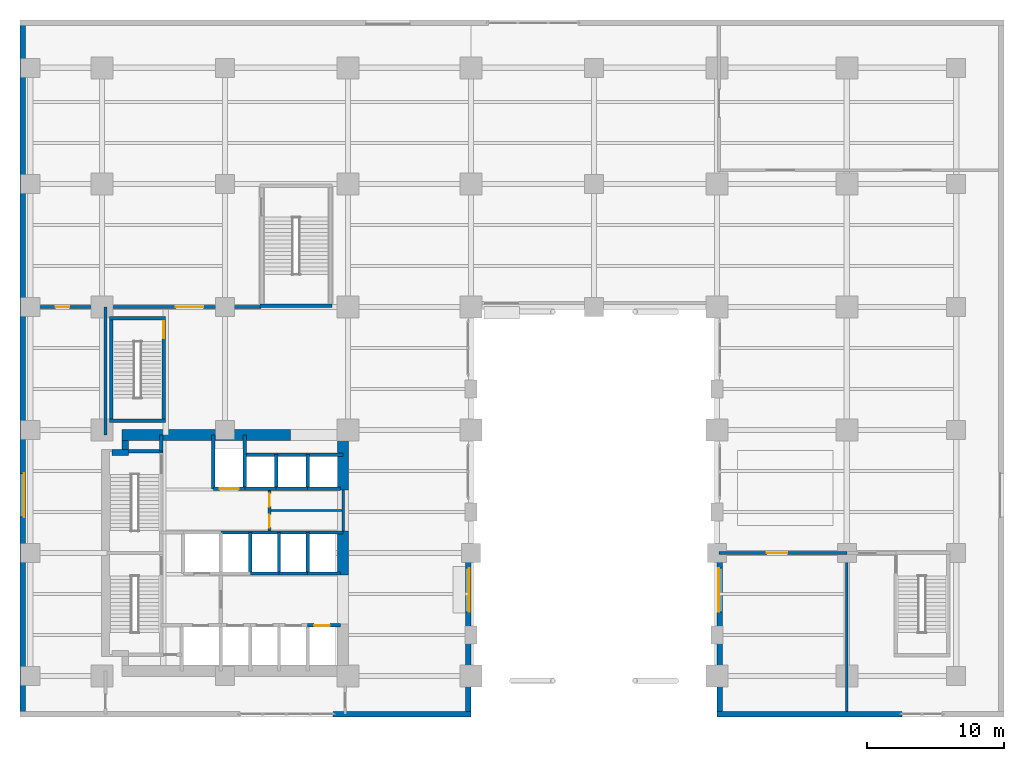
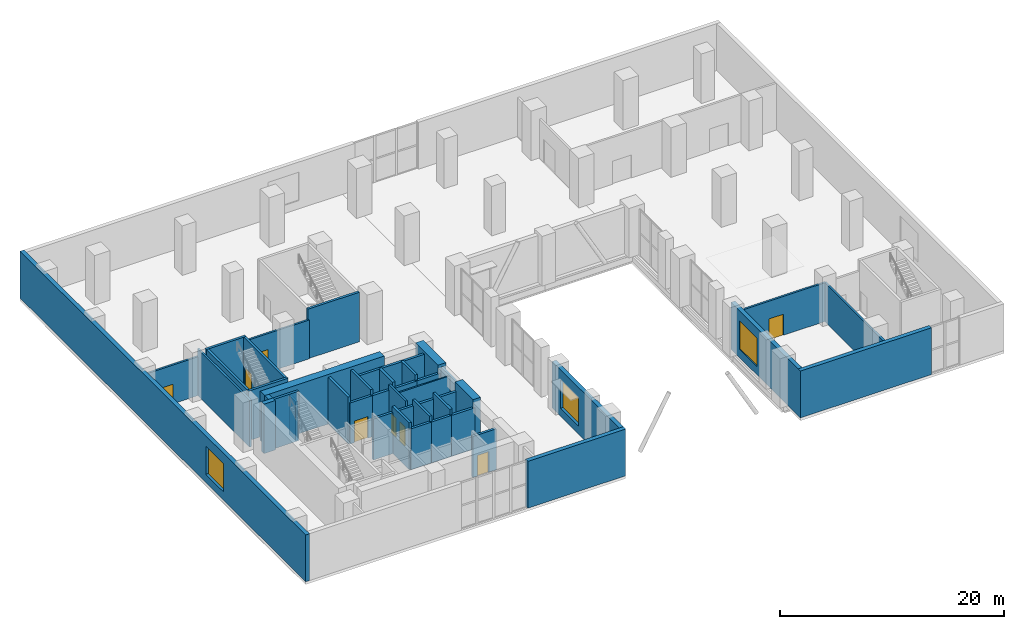
# One storey, part 16 of 20: 41 walls, 8 doors, 3 windows, 11 openings.
"""IFC4 building model written with IfcOpenShell, lengths in metres."""

from ifc_helpers import new_model, si_unit, direction, frame, frame_2d, origin, place, context, subcontext, project, spatial, rectangle, extrude, material, layer, layer_set, type_object, element, fill, save


model = new_model("IFC4")

# Units and contexts
model_context = context("Model", 3, precision=1e-05, world=origin(), true_north=direction((0.0, 1.0)))
body_context = subcontext(model_context, "Body", "Model", "MODEL_VIEW")
ifc_project = project(units=[si_unit("LENGTHUNIT", "METRE"), si_unit("AREAUNIT", "SQUARE_METRE"), si_unit("VOLUMEUNIT", "CUBIC_METRE"), si_unit("PLANEANGLEUNIT", "RADIAN"), si_unit("MASSUNIT", "GRAM", prefix="KILO")], contexts=[model_context])

# Site, building, storey
site_placement = place(None, origin())
site = spatial("IfcSite", under=ifc_project, at=site_placement, CompositionType="ELEMENT")
building_placement = place(site_placement, origin())
building = spatial("IfcBuilding", under=site, at=building_placement, Name="Mawjdan Bourse Tower", CompositionType="ELEMENT")
storey_placement = place(building_placement, frame((0.0, 0.0, 5.39990234375)))
storey = spatial("IfcBuildingStorey", under=building, at=storey_placement, Name="L01", CompositionType="ELEMENT", Elevation=5.39990234375)

# Wall
ifc_material_1 = material(Name="Brick Masonry Buff", Category="masonry")
ifc_layer_1 = layer(ifc_material_1, 0.419921875)
ifc_layer_set_1 = layer_set([ifc_layer_1], Name="Brick Masonry Buff")
wall_type_1 = type_object("IfcWallType", Name="WL-BRK-BUFF-420", PredefinedType="STANDARD", material=ifc_layer_set_1)
wall_1_placement = place(storey_placement, frame((22.919921875, 0.2099609375, 0.0), z_axis=(0.0, 0.0, 1.0), x_axis=(1.0, 0.0, 0.0)))
element("IfcWall", 1, at=wall_1_placement, inside=storey, type_object=wall_type_1, Name="L01 Podium Brick Wall SW-2", PredefinedType="STANDARD", context=body_context, shape_type="SweptSolid", body=[
    extrude(rectangle(XDim=10.080078125, YDim=0.419921875, at=frame_2d((5.0400390625, 0.0))), origin(), (0.0, 0.0, 1.0), 5.10009765625),
])

# Wall, opening, window
wall_2_placement = place(storey_placement, frame((32.7900390625, 12.39990234375, 0.0), z_axis=(0.0, 0.0, 1.0), x_axis=(0.0, -1.0, 0.0)))
wall_2 = element("IfcWall", 2, at=wall_2_placement, inside=storey, type_object=wall_type_1, Name="L01 Podium Brick Wall ARCH-WP", PredefinedType="STANDARD", context=body_context, shape_type="SweptSolid", body=[
    extrude(rectangle(XDim=12.39990234375, YDim=0.419921875, at=frame_2d((6.199951171875, 0.0))), origin(), (0.0, 0.0, 1.0), 5.10009765625),
])
opening_1_placement = place(wall_2_placement, frame((1.5, 0.0, 0.89990234375)))
opening_1 = element("IfcOpeningElement", 3, at=opening_1_placement, cuts=wall_2, Name="Opening W-L01-01", PredefinedType="OPENING", context=body_context, shape_type="SweptSolid", body=[
    extrude(rectangle(XDim=3.199951171875, YDim=3.10009765625, at=frame_2d((1.60009765625, 1.550048828125))), frame((0.0, 0.219970703125, 0.0), z_axis=(0.0, -1.0, 0.0), x_axis=(1.0, 0.0, 0.0)), (0.0, 0.0, 1.0), 0.43994140625),
])
ifc_material_2 = material(Name="Solar-Control Clear Double Glazing", Category="glass")
window_type = type_object("IfcWindowType", Name="WN-POD-3200", PartitioningType="SINGLE_PANEL", PredefinedType="WINDOW", material=ifc_material_2)
window_1_placement = place(opening_1_placement, origin())
window_1 = element("IfcWindow", 4, at=window_1_placement, inside=storey, type_object=window_type, Name="L01 Deep-Set Masonry Window W-L01-01", OverallHeight=3.10009765625, OverallWidth=3.199951171875, PartitioningType="SINGLE_PANEL", PredefinedType="WINDOW", context=body_context, shape_type="SweptSolid", body=[
    extrude(rectangle(XDim=3.199951171875, YDim=3.10009765625, at=frame_2d((1.60009765625, 1.550048828125))), frame((0.0, 0.110107421875, 0.0), z_axis=(0.0, -1.0, 0.0), x_axis=(1.0, 0.0, 0.0)), (0.0, 0.0, 1.0), 0.06005859375),
])
fill(opening_1, window_1)

wall_3_placement = place(storey_placement, frame((51.2099609375, 0.0, 0.0), z_axis=(0.0, 0.0, 1.0), x_axis=(0.0, 1.0, 0.0)))
wall_3 = element("IfcWall", 5, at=wall_3_placement, inside=storey, type_object=wall_type_1, Name="L01 Podium Brick Wall ARCH-EP", PredefinedType="STANDARD", context=body_context, shape_type="SweptSolid", body=[
    extrude(rectangle(XDim=12.39990234375, YDim=0.419921875, at=frame_2d((6.199951171875, 0.0))), origin(), (0.0, 0.0, 1.0), 5.10009765625),
])
opening_2_placement = place(wall_3_placement, frame((7.699951171875, 0.0, 0.89990234375)))
opening_2 = element("IfcOpeningElement", 6, at=opening_2_placement, cuts=wall_3, Name="Opening W-L01-03", PredefinedType="OPENING", context=body_context, shape_type="SweptSolid", body=[
    extrude(rectangle(XDim=3.199951171875, YDim=3.10009765625, at=frame_2d((1.60009765625, 1.550048828125))), frame((0.0, 0.219970703125, 0.0), z_axis=(0.0, -1.0, 0.0), x_axis=(1.0, 0.0, 0.0)), (0.0, 0.0, 1.0), 0.43994140625),
])
window_2_placement = place(opening_2_placement, origin())
window_2 = element("IfcWindow", 7, at=window_2_placement, inside=storey, type_object=window_type, Name="L01 Deep-Set Masonry Window W-L01-03", OverallHeight=3.10009765625, OverallWidth=3.199951171875, PartitioningType="SINGLE_PANEL", PredefinedType="WINDOW", context=body_context, shape_type="SweptSolid", body=[
    extrude(rectangle(XDim=3.199951171875, YDim=3.10009765625, at=frame_2d((1.60009765625, 1.550048828125))), frame((0.0, 0.110107421875, 0.0), z_axis=(0.0, -1.0, 0.0), x_axis=(1.0, 0.0, 0.0)), (0.0, 0.0, 1.0), 0.06005859375),
])
fill(opening_2, window_2)

# Wall
wall_4_placement = place(storey_placement, frame((51.0, 0.2099609375, 0.0), z_axis=(0.0, 0.0, 1.0), x_axis=(1.0, 0.0, 0.0)))
element("IfcWall", 8, at=wall_4_placement, inside=storey, type_object=wall_type_1, Name="L01 Podium Brick Wall SE-1", PredefinedType="STANDARD", context=body_context, shape_type="SweptSolid", body=[
    extrude(rectangle(XDim=13.530029296875, YDim=0.419921875, at=frame_2d((6.76513671875, 0.0))), origin(), (0.0, 0.0, 1.0), 5.10009765625),
])

# Wall, opening, window
wall_5_placement = place(storey_placement, frame((0.2099609375, 51.0, 0.0), z_axis=(0.0, 0.0, 1.0), x_axis=(0.0, -1.0, 0.0)))
wall_5 = element("IfcWall", 9, at=wall_5_placement, inside=storey, type_object=wall_type_1, Name="L01 Podium Brick Wall WEST", PredefinedType="STANDARD", context=body_context, shape_type="SweptSolid", body=[
    extrude(rectangle(XDim=51.0, YDim=0.419921875, at=frame_2d((25.5, 0.0))), origin(), (0.0, 0.0, 1.0), 5.10009765625),
])
opening_3_placement = place(wall_5_placement, frame((33.172607421875, 0.0, 0.89990234375)))
opening_3 = element("IfcOpeningElement", 10, at=opening_3_placement, cuts=wall_5, Name="Opening W-L01-06", PredefinedType="OPENING", context=body_context, shape_type="SweptSolid", body=[
    extrude(rectangle(XDim=3.199951171875, YDim=3.10009765625, at=frame_2d((1.60009765625, 1.550048828125))), frame((0.0, 0.219970703125, 0.0), z_axis=(0.0, -1.0, 0.0), x_axis=(1.0, 0.0, 0.0)), (0.0, 0.0, 1.0), 0.43994140625),
])
window_3_placement = place(opening_3_placement, origin())
window_3 = element("IfcWindow", 11, at=window_3_placement, inside=storey, type_object=window_type, Name="L01 Deep-Set Masonry Window W-L01-06", OverallHeight=3.10009765625, OverallWidth=3.199951171875, PartitioningType="SINGLE_PANEL", PredefinedType="WINDOW", context=body_context, shape_type="SweptSolid", body=[
    extrude(rectangle(XDim=3.199951171875, YDim=3.10009765625, at=frame_2d((1.60009765625, 1.550048828125))), frame((0.0, 0.110107421875, 0.0), z_axis=(0.0, -1.0, 0.0), x_axis=(1.0, 0.0, 0.0)), (0.0, 0.0, 1.0), 0.06005859375),
])
fill(opening_3, window_3)

# Wall, openings, doors
ifc_material_3 = material(Name="Gypsum Fireboard Assembly")
ifc_layer_2 = layer(ifc_material_3, 0.199951171875)
ifc_layer_set_2 = layer_set([ifc_layer_2], Name="Gypsum Fireboard Assembly")
wall_type_2 = type_object("IfcWallType", Name="WL-CMP-200", PredefinedType="PARTITIONING", material=ifc_layer_set_2)
wall_6_placement = place(storey_placement, frame((18.25, 13.60009765625, 0.0), z_axis=(0.0, 0.0, 1.0), x_axis=(0.0, 1.0, 0.0)))
wall_6 = element("IfcWall", 12, at=wall_6_placement, inside=storey, type_object=wall_type_2, Name="L01 Core Restroom West Wall", PredefinedType="PARTITIONING", context=body_context, shape_type="SweptSolid", body=[
    extrude(rectangle(XDim=3.0, YDim=0.199951171875, at=frame_2d((1.5, 0.0))), origin(), (0.0, 0.0, 1.0), 5.090087890625),
])
opening_4_placement = place(wall_6_placement, frame((0.25, 0.0, 0.0)))
opening_4 = element("IfcOpeningElement", 13, at=opening_4_placement, cuts=wall_6, Name="Opening D-L01-14", PredefinedType="OPENING", context=body_context, shape_type="SweptSolid", body=[
    extrude(rectangle(XDim=0.949951171875, YDim=2.10009765625, at=frame_2d((0.47509765625, 1.050048828125))), frame((0.0, 0.10986328125, 0.0), z_axis=(0.0, -1.0, 0.0), x_axis=(1.0, 0.0, 0.0)), (0.0, 0.0, 1.0), 0.219970703125),
])
opening_5_placement = place(wall_6_placement, frame((1.800048828125, 0.0, 0.0)))
opening_5 = element("IfcOpeningElement", 14, at=opening_5_placement, cuts=wall_6, Name="Opening D-L01-15", PredefinedType="OPENING", context=body_context, shape_type="SweptSolid", body=[
    extrude(rectangle(XDim=0.949951171875, YDim=2.10009765625, at=frame_2d((0.47509765625, 1.050048828125))), frame((0.0, 0.10986328125, 0.0), z_axis=(0.0, -1.0, 0.0), x_axis=(1.0, 0.0, 0.0)), (0.0, 0.0, 1.0), 0.219970703125),
])
ifc_material_4 = material(Name="Moisture-Resistant Laminate Timber", Category="wood")
door_type_1 = type_object("IfcDoorType", Name="DR-WET-0950", OperationType="NOTDEFINED", PredefinedType="DOOR", material=ifc_material_4)
door_1_placement = place(opening_4_placement, origin())
door_1 = element("IfcDoor", 15, at=door_1_placement, inside=storey, type_object=door_type_1, Name="L01 Accessible WC Entry Door D-L01-14", OperationType="SINGLE_SWING_RIGHT", OverallHeight=2.10009765625, OverallWidth=0.949951171875, PredefinedType="DOOR", context=body_context, shape_type="SweptSolid", body=[
    extrude(rectangle(XDim=0.949951171875, YDim=2.10009765625, at=frame_2d((0.47509765625, 1.050048828125))), frame((0.0, 0.02490234375, 0.0), z_axis=(0.0, -1.0, 0.0), x_axis=(1.0, 0.0, 0.0)), (0.0, 0.0, 1.0), 0.050048828125),
])
fill(opening_4, door_1)
door_2_placement = place(opening_5_placement, origin())
door_2 = element("IfcDoor", 16, at=door_2_placement, inside=storey, type_object=door_type_1, Name="L01 Female Restroom Entry Door D-L01-15", OperationType="SINGLE_SWING_LEFT", OverallHeight=2.10009765625, OverallWidth=0.949951171875, PredefinedType="DOOR", context=body_context, shape_type="SweptSolid", body=[
    extrude(rectangle(XDim=0.949951171875, YDim=2.10009765625, at=frame_2d((0.47509765625, 1.050048828125))), frame((0.0, 0.02490234375, 0.0), z_axis=(0.0, -1.0, 0.0), x_axis=(1.0, 0.0, 0.0)), (0.0, 0.0, 1.0), 0.050048828125),
])
fill(opening_5, door_2)

# Wall
wall_7_placement = place(storey_placement, frame((23.64990234375, 13.60009765625, 0.0), z_axis=(0.0, 0.0, 1.0), x_axis=(0.0, 1.0, 0.0)))
element("IfcWall", 17, at=wall_7_placement, inside=storey, type_object=wall_type_2, Name="L01 Core Restroom East Enclosing Wall", PredefinedType="PARTITIONING", context=body_context, shape_type="SweptSolid", body=[
    extrude(rectangle(XDim=3.0, YDim=0.199951171875, at=frame_2d((1.5, 0.0))), origin(), (0.0, 0.0, 1.0), 5.090087890625),
])

# Wall, openings, doors
wall_8_placement = place(storey_placement, frame((0.2099609375, 30.0, 0.0), z_axis=(0.0, 0.0, 1.0), x_axis=(1.0, 0.0, 0.0)))
wall_8 = element("IfcWall", 18, at=wall_8_placement, inside=storey, type_object=wall_type_2, Name="L01 Listing Gallery South Wall", PredefinedType="PARTITIONING", context=body_context, shape_type="SweptSolid", body=[
    extrude(rectangle(XDim=17.43994140625, YDim=0.199951171875, at=frame_2d((8.719970703125, 0.0))), origin(), (0.0, 0.0, 1.0), 4.234130859375),
])
opening_6_placement = place(wall_8_placement, frame((2.39990234375, 0.0, 0.0)))
opening_6 = element("IfcOpeningElement", 19, at=opening_6_placement, cuts=wall_8, Name="Opening D-L01-19", PredefinedType="OPENING", context=body_context, shape_type="SweptSolid", body=[
    extrude(rectangle(XDim=1.0, YDim=2.14990234375, at=frame_2d((0.5, 1.074951171875))), frame((0.0, 0.10986328125, 0.0), z_axis=(0.0, -1.0, 0.0), x_axis=(1.0, 0.0, 0.0)), (0.0, 0.0, 1.0), 0.219970703125),
])
opening_7_placement = place(wall_8_placement, frame((11.199951171875, 0.0, 0.0)))
opening_7 = element("IfcOpeningElement", 20, at=opening_7_placement, cuts=wall_8, Name="Opening D-L01-20", PredefinedType="OPENING", context=body_context, shape_type="SweptSolid", body=[
    extrude(rectangle(XDim=2.0, YDim=2.5, at=frame_2d((1.0, 1.25))), frame((0.0, 0.10986328125, 0.0), z_axis=(0.0, -1.0, 0.0), x_axis=(1.0, 0.0, 0.0)), (0.0, 0.0, 1.0), 0.219970703125),
])
ifc_material_5 = material(Name="Acoustic Veneered Timber", Category="wood")
door_type_2 = type_object("IfcDoorType", Name="DR-ASM-2000", OperationType="DOUBLE_DOOR_SINGLE_SWING", PredefinedType="DOOR", material=ifc_material_5)
door_3_placement = place(opening_7_placement, origin())
door_3 = element("IfcDoor", 21, at=door_3_placement, inside=storey, type_object=door_type_2, Name="L01 Listing Gallery Entrance D-L01-20", OperationType="DOUBLE_DOOR_SINGLE_SWING", OverallHeight=2.5, OverallWidth=2.0, PredefinedType="DOOR", context=body_context, shape_type="SweptSolid", body=[
    extrude(rectangle(XDim=2.0, YDim=2.5, at=frame_2d((1.0, 1.25))), frame((0.0, 0.02490234375, 0.0), z_axis=(0.0, -1.0, 0.0), x_axis=(1.0, 0.0, 0.0)), (0.0, 0.0, 1.0), 0.050048828125),
])
fill(opening_7, door_3)
ifc_material_6 = material(Name="Hardwood Acoustic Leaf", Category="wood")
door_type_3 = type_object("IfcDoorType", Name="DR-OFC-1000", OperationType="NOTDEFINED", PredefinedType="DOOR", material=ifc_material_6)
door_4_placement = place(opening_6_placement, origin())
door_4 = element("IfcDoor", 22, at=door_4_placement, inside=storey, type_object=door_type_3, Name="L01 Bourse Operations Listing Gallery Door D-L01-19", OperationType="SINGLE_SWING_LEFT", OverallHeight=2.14990234375, OverallWidth=1.0, PredefinedType="DOOR", context=body_context, shape_type="SweptSolid", body=[
    extrude(rectangle(XDim=1.0, YDim=2.14990234375, at=frame_2d((0.5, 1.074951171875))), frame((0.0, 0.02490234375, 0.0), z_axis=(0.0, -1.0, 0.0), x_axis=(1.0, 0.0, 0.0)), (0.0, 0.0, 1.0), 0.050048828125),
])
fill(opening_6, door_4)

# Wall
wall_9_placement = place(storey_placement, frame((6.25, 20.64990234375, 0.0), z_axis=(0.0, 0.0, 1.0), x_axis=(0.0, 1.0, 0.0)))
element("IfcWall", 23, at=wall_9_placement, inside=storey, type_object=wall_type_2, Name="L01 Bourse Operations North-East Wall", PredefinedType="PARTITIONING", context=body_context, shape_type="SweptSolid", body=[
    extrude(rectangle(XDim=9.35009765625, YDim=0.199951171875, at=frame_2d((4.675048828125, 0.0))), origin(), (0.0, 0.0, 1.0), 5.090087890625),
])

# Wall, opening, door
wall_10_placement = place(storey_placement, frame((51.14990234375, 12.0, 0.0), z_axis=(0.0, 0.0, 1.0), x_axis=(1.0, 0.0, 0.0)))
wall_10 = element("IfcWall", 24, at=wall_10_placement, inside=storey, type_object=wall_type_2, Name="L01 Media Suite North Wall", PredefinedType="PARTITIONING", context=body_context, shape_type="SweptSolid", body=[
    extrude(rectangle(XDim=9.35009765625, YDim=0.199951171875, at=frame_2d((4.675048828125, 0.0))), origin(), (0.0, 0.0, 1.0), 4.234130859375),
])
opening_8_placement = place(wall_10_placement, frame((3.5, 0.0, 0.0)))
opening_8 = element("IfcOpeningElement", 25, at=opening_8_placement, cuts=wall_10, Name="Opening D-L01-27", PredefinedType="OPENING", context=body_context, shape_type="SweptSolid", body=[
    extrude(rectangle(XDim=1.5, YDim=2.300048828125, at=frame_2d((0.75, 1.14990234375))), frame((0.0, 0.10986328125, 0.0), z_axis=(0.0, -1.0, 0.0), x_axis=(1.0, 0.0, 0.0)), (0.0, 0.0, 1.0), 0.219970703125),
])
ifc_material_7 = material(Name="Acoustic Glazed Timber", Category="wood")
door_type_4 = type_object("IfcDoorType", Name="DR-CNF-1500", OperationType="DOUBLE_DOOR_SINGLE_SWING", PredefinedType="DOOR", material=ifc_material_7)
door_5_placement = place(opening_8_placement, origin())
door_5 = element("IfcDoor", 26, at=door_5_placement, inside=storey, type_object=door_type_4, Name="L01 Media Suite Door D-L01-27", OperationType="DOUBLE_DOOR_SINGLE_SWING", OverallHeight=2.300048828125, OverallWidth=1.5, PredefinedType="DOOR", context=body_context, shape_type="SweptSolid", body=[
    extrude(rectangle(XDim=1.5, YDim=2.300048828125, at=frame_2d((0.75, 1.14990234375))), frame((0.0, 0.02490234375, 0.0), z_axis=(0.0, -1.0, 0.0), x_axis=(1.0, 0.0, 0.0)), (0.0, 0.0, 1.0), 0.050048828125),
])
fill(opening_8, door_5)

# Walls
wall_11_placement = place(storey_placement, frame((60.5, 0.419921875, 0.0), z_axis=(0.0, 0.0, 1.0), x_axis=(0.0, 1.0, 0.0)))
element("IfcWall", 27, at=wall_11_placement, inside=storey, type_object=wall_type_2, Name="L01 Media Suite East Wall", PredefinedType="PARTITIONING", context=body_context, shape_type="SweptSolid", body=[
    extrude(rectangle(XDim=11.580078125, YDim=0.199951171875, at=frame_2d((5.7900390625, 0.0))), origin(), (0.0, 0.0, 1.0), 4.234130859375),
])
ifc_material_8 = material(Name="Concrete C60/75", Category="concrete")
ifc_layer_3 = layer(ifc_material_8, 0.449951171875)
ifc_layer_set_3 = layer_set([ifc_layer_3], Name="Concrete C60/75")
wall_type_3 = type_object("IfcWallType", Name="WL-CORE-450", PredefinedType="SHEAR", material=ifc_layer_set_3)
wall_12_placement = place(storey_placement, frame((6.75, 19.35009765625, 0.0), z_axis=(0.0, 0.0, 1.0), x_axis=(1.0, 0.0, 0.0)))
element("IfcWall", 28, at=wall_12_placement, inside=storey, type_object=wall_type_3, Name="L01 Rear Core Shear Wall NW-X", PredefinedType="SHEAR", context=body_context, shape_type="SweptSolid", body=[
    extrude(rectangle(XDim=1.175048828125, YDim=0.449951171875, at=frame_2d((0.58740234375, 0.0))), origin(), (0.0, 0.0, 1.0), 5.400146484375),
])
wall_13_placement = place(storey_placement, frame((7.699951171875, 19.574951171875, 0.0), z_axis=(0.0, 0.0, 1.0), x_axis=(0.0, 1.0, 0.0)))
element("IfcWall", 29, at=wall_13_placement, inside=storey, type_object=wall_type_3, Name="L01 Rear Core Shear Wall NW-Y", PredefinedType="SHEAR", context=body_context, shape_type="SweptSolid", body=[
    extrude(rectangle(XDim=0.675048828125, YDim=0.449951171875, at=frame_2d((0.33740234375, 0.0))), origin(), (0.0, 0.0, 1.0), 5.400146484375),
])
ifc_material_9 = material(Name="Concrete C80/95", Category="concrete")
ifc_layer_4 = layer(ifc_material_9, 0.800048828125)
ifc_layer_set_4 = layer_set([ifc_layer_4], Name="Concrete C80/95")
wall_type_4 = type_object("IfcWallType", Name="WL-CORE-800", PredefinedType="SHEAR", material=ifc_layer_set_4)
wall_14_placement = place(storey_placement, frame((7.47509765625, 20.64990234375, 0.0), z_axis=(0.0, 0.0, 1.0), x_axis=(1.0, 0.0, 0.0)))
element("IfcWall", 30, at=wall_14_placement, inside=storey, type_object=wall_type_4, Name="L01 Rear Core Shear Wall N", PredefinedType="SHEAR", context=body_context, shape_type="SweptSolid", body=[
    extrude(rectangle(XDim=12.324951171875, YDim=0.800048828125, at=frame_2d((6.16259765625, 0.0))), origin(), (0.0, 0.0, 1.0), 5.400146484375),
])
wall_15_placement = place(storey_placement, frame((23.64990234375, 10.39990234375, 0.0), z_axis=(0.0, 0.0, 1.0), x_axis=(0.0, 1.0, 0.0)))
element("IfcWall", 31, at=wall_15_placement, inside=storey, type_object=wall_type_4, Name="L01 Rear Core Shear Wall E2", PredefinedType="SHEAR", context=body_context, shape_type="SweptSolid", body=[
    extrude(rectangle(XDim=3.2001953125, YDim=0.800048828125, at=frame_2d((1.60009765625, 0.0))), origin(), (0.0, 0.0, 1.0), 5.400146484375),
])
wall_16_placement = place(storey_placement, frame((23.64990234375, 16.60009765625, 0.0), z_axis=(0.0, 0.0, 1.0), x_axis=(0.0, 1.0, 0.0)))
element("IfcWall", 32, at=wall_16_placement, inside=storey, type_object=wall_type_4, Name="L01 Rear Core Shear Wall E3", PredefinedType="SHEAR", context=body_context, shape_type="SweptSolid", body=[
    extrude(rectangle(XDim=4.0498046875, YDim=0.800048828125, at=frame_2d((2.02490234375, 0.0))), origin(), (0.0, 0.0, 1.0), 5.400146484375),
])
ifc_material_10 = material(Name="Gypsum Acoustic Partition")
ifc_layer_5 = layer(ifc_material_10, 0.14990234375)
ifc_layer_set_5 = layer_set([ifc_layer_5], Name="Gypsum Acoustic Partition")
wall_type_5 = type_object("IfcWallType", Name="WL-PRT-150", PredefinedType="PARTITIONING", material=ifc_layer_set_5)
wall_17_placement = place(storey_placement, frame((18.25, 15.10009765625, 0.0), z_axis=(0.0, 0.0, 1.0), x_axis=(1.0, 0.0, 0.0)))
element("IfcWall", 33, at=wall_17_placement, inside=storey, type_object=wall_type_5, Name="L01 Core Restroom Horizontal Split", PredefinedType="PARTITIONING", context=body_context, shape_type="SweptSolid", body=[
    extrude(rectangle(XDim=5.39990234375, YDim=0.14990234375, at=frame_2d((2.699951171875, 0.0))), origin(), (0.0, 0.0, 1.0), 5.090087890625),
])
ifc_material_11 = material(Name="Concrete C50/60", Category="concrete")
ifc_layer_6 = layer(ifc_material_11, 0.25)
ifc_layer_set_6 = layer_set([ifc_layer_6], Name="Concrete C50/60")
wall_type_6 = type_object("IfcWallType", Name="WL-SHFT-250", PredefinedType="PARTITIONING", material=ifc_layer_set_6)
wall_18_placement = place(storey_placement, frame((10.330078125, 19.449951171875, 0.0), z_axis=(0.0, 0.0, 1.0), x_axis=(0.0, 1.0, 0.0)))
element("IfcWall", 34, at=wall_18_placement, inside=storey, type_object=wall_type_6, Name="L01 NW Riser East Wall", PredefinedType="PARTITIONING", context=body_context, shape_type="SweptSolid", body=[
    extrude(rectangle(XDim=1.199951171875, YDim=0.25, at=frame_2d((0.60009765625, 0.0))), origin(), (0.0, 0.0, 1.0), 4.234130859375),
])

# Wall, opening, door
wall_19_placement = place(storey_placement, frame((14.14990234375, 16.699951171875, 0.0), z_axis=(0.0, 0.0, 1.0), x_axis=(1.0, 0.0, 0.0)))
wall_19 = element("IfcWall", 35, at=wall_19_placement, inside=storey, type_object=wall_type_6, Name="L01 SVL-01 Front Shaft Wall", PredefinedType="PARTITIONING", context=body_context, shape_type="SweptSolid", body=[
    extrude(rectangle(XDim=2.300048828125, YDim=0.25, at=frame_2d((1.14990234375, 0.0))), origin(), (0.0, 0.0, 1.0), 4.47314453125),
])
opening_9_placement = place(wall_19_placement, frame((0.449951171875, 0.0, 0.0)))
opening_9 = element("IfcOpeningElement", 36, at=opening_9_placement, cuts=wall_19, Name="Opening LD-L01-09", PredefinedType="OPENING", context=body_context, shape_type="SweptSolid", body=[
    extrude(rectangle(XDim=1.39990234375, YDim=2.35009765625, at=frame_2d((0.699951171875, 1.175048828125))), frame((0.0, 0.135009765625, 0.0), z_axis=(0.0, -1.0, 0.0), x_axis=(1.0, 0.0, 0.0)), (0.0, 0.0, 1.0), 0.27001953125),
])
ifc_material_12 = material(Name="Heavy-Duty Stainless Steel", Category="steel")
door_type_5 = type_object("IfcDoorType", Name="LD-SRV-1400", OperationType="DOUBLE_DOOR_SLIDING", PredefinedType="DOOR", material=ifc_material_12)
door_6_placement = place(opening_9_placement, origin())
door_6 = element("IfcDoor", 37, at=door_6_placement, inside=storey, type_object=door_type_5, Name="L01 Service Lift SVL-01 Landing Door LD-L01-09", OperationType="DOUBLE_DOOR_SLIDING", OverallHeight=2.35009765625, OverallWidth=1.39990234375, PredefinedType="DOOR", context=body_context, shape_type="SweptSolid", body=[
    extrude(rectangle(XDim=1.39990234375, YDim=2.35009765625, at=frame_2d((0.699951171875, 1.175048828125))), frame((0.0, 0.02490234375, 0.0), z_axis=(0.0, -1.0, 0.0), x_axis=(1.0, 0.0, 0.0)), (0.0, 0.0, 1.0), 0.050048828125),
])
fill(opening_9, door_6)

# Walls
for number, where, z_axis, x_axis, name in (
    (38, (14.14990234375, 16.699951171875, 0.0), (0.0, 0.0, 1.0), (0.0, 1.0, 0.0), "L01 SVL-01 West Shaft Wall"),
    (39, (16.449951171875, 16.699951171875, 0.0), (0.0, 0.0, 1.0), (0.0, 1.0, 0.0), "L01 SVL-01 East Shaft Wall"),
):
    element("IfcWall", number, at=place(storey_placement, frame(where, z_axis=z_axis, x_axis=x_axis)), inside=storey, type_object=wall_type_6, Name=name, PredefinedType="PARTITIONING", context=body_context, shape_type="SweptSolid", body=[
        extrude(rectangle(XDim=3.949951171875, YDim=0.25, at=frame_2d((1.97509765625, 0.0))), origin(), (0.0, 0.0, 1.0), 5.090087890625),
    ])
wall_20_placement = place(storey_placement, frame((16.449951171875, 16.699951171875, 0.0), z_axis=(0.0, 0.0, 1.0), x_axis=(1.0, 0.0, 0.0)))
element("IfcWall", 40, at=wall_20_placement, inside=storey, type_object=wall_type_6, Name="L01 PH-01 Front Wall", PredefinedType="PARTITIONING", context=body_context, shape_type="SweptSolid", body=[
    extrude(rectangle(XDim=2.300048828125, YDim=0.25, at=frame_2d((1.14990234375, 0.0))), origin(), (0.0, 0.0, 1.0), 4.47314453125),
])
wall_21_placement = place(storey_placement, frame((18.75, 16.699951171875, 0.0), z_axis=(0.0, 0.0, 1.0), x_axis=(0.0, 1.0, 0.0)))
element("IfcWall", 41, at=wall_21_placement, inside=storey, type_object=wall_type_6, Name="L01 PH-01 Divider Wall", PredefinedType="PARTITIONING", context=body_context, shape_type="SweptSolid", body=[
    extrude(rectangle(XDim=2.5, YDim=0.25, at=frame_2d((1.25, 0.0))), origin(), (0.0, 0.0, 1.0), 5.090087890625),
])
wall_22_placement = place(storey_placement, frame((18.75, 16.699951171875, 0.0), z_axis=(0.0, 0.0, 1.0), x_axis=(1.0, 0.0, 0.0)))
element("IfcWall", 42, at=wall_22_placement, inside=storey, type_object=wall_type_6, Name="L01 PH-02 Front Wall", PredefinedType="PARTITIONING", context=body_context, shape_type="SweptSolid", body=[
    extrude(rectangle(XDim=2.300048828125, YDim=0.25, at=frame_2d((1.14990234375, 0.0))), origin(), (0.0, 0.0, 1.0), 4.47314453125),
])
wall_23_placement = place(storey_placement, frame((21.050048828125, 16.699951171875, 0.0), z_axis=(0.0, 0.0, 1.0), x_axis=(0.0, 1.0, 0.0)))
element("IfcWall", 43, at=wall_23_placement, inside=storey, type_object=wall_type_6, Name="L01 PH-02 Divider Wall", PredefinedType="PARTITIONING", context=body_context, shape_type="SweptSolid", body=[
    extrude(rectangle(XDim=2.5, YDim=0.25, at=frame_2d((1.25, 0.0))), origin(), (0.0, 0.0, 1.0), 5.090087890625),
])
wall_24_placement = place(storey_placement, frame((21.050048828125, 16.699951171875, 0.0), z_axis=(0.0, 0.0, 1.0), x_axis=(1.0, 0.0, 0.0)))
element("IfcWall", 44, at=wall_24_placement, inside=storey, type_object=wall_type_6, Name="L01 PH-03 Front Wall", PredefinedType="PARTITIONING", context=body_context, shape_type="SweptSolid", body=[
    extrude(rectangle(XDim=2.39990234375, YDim=0.25, at=frame_2d((1.199951171875, 0.0))), origin(), (0.0, 0.0, 1.0), 4.47314453125),
])
wall_25_placement = place(storey_placement, frame((16.449951171875, 19.199951171875, 0.0), z_axis=(0.0, 0.0, 1.0), x_axis=(1.0, 0.0, 0.0)))
element("IfcWall", 45, at=wall_25_placement, inside=storey, type_object=wall_type_6, Name="L01 PH Bank North Shaft Back Wall", PredefinedType="PARTITIONING", context=body_context, shape_type="SweptSolid", body=[
    extrude(rectangle(XDim=7.199951171875, YDim=0.25, at=frame_2d((3.60009765625, 0.0))), origin(), (0.0, 0.0, 1.0), 5.090087890625),
])

# Wall, opening, door
wall_26_placement = place(storey_placement, frame((21.050048828125, 6.699951171875, 0.0), z_axis=(0.0, 0.0, 1.0), x_axis=(1.0, 0.0, 0.0)))
wall_26 = element("IfcWall", 46, at=wall_26_placement, inside=storey, type_object=wall_type_6, Name="L01 PL-03 Front Wall", PredefinedType="PARTITIONING", context=body_context, shape_type="SweptSolid", body=[
    extrude(rectangle(XDim=2.39990234375, YDim=0.25, at=frame_2d((1.199951171875, 0.0))), origin(), (0.0, 0.0, 1.0), 4.47314453125),
])
opening_10_placement = place(wall_26_placement, frame((0.47998046875, 0.0, 0.0)))
opening_10 = element("IfcOpeningElement", 47, at=opening_10_placement, cuts=wall_26, Name="Opening LD-L01-13", PredefinedType="OPENING", context=body_context, shape_type="SweptSolid", body=[
    extrude(rectangle(XDim=1.14990234375, YDim=2.25, at=frame_2d((0.574951171875, 1.125))), frame((0.0, 0.135009765625, 0.0), z_axis=(0.0, -1.0, 0.0), x_axis=(1.0, 0.0, 0.0)), (0.0, 0.0, 1.0), 0.27001953125),
])
ifc_material_13 = material(Name="Brushed Stainless Steel", Category="steel")
door_type_6 = type_object("IfcDoorType", Name="LD-PAS-1150", OperationType="DOUBLE_DOOR_SLIDING", PredefinedType="DOOR", material=ifc_material_13)
door_7_placement = place(opening_10_placement, origin())
door_7 = element("IfcDoor", 48, at=door_7_placement, inside=storey, type_object=door_type_6, Name="L01 Lift PL-03 Landing Door LD-L01-13", OperationType="DOUBLE_DOOR_SLIDING", OverallHeight=2.25, OverallWidth=1.14990234375, PredefinedType="DOOR", context=body_context, shape_type="SweptSolid", body=[
    extrude(rectangle(XDim=1.14990234375, YDim=2.25, at=frame_2d((0.574951171875, 1.125))), frame((0.0, 0.02490234375, 0.0), z_axis=(0.0, -1.0, 0.0), x_axis=(1.0, 0.0, 0.0)), (0.0, 0.0, 1.0), 0.050048828125),
])
fill(opening_10, door_7)

# Walls
wall_27_placement = place(storey_placement, frame((16.85009765625, 10.5, 0.0), z_axis=(0.0, 0.0, 1.0), x_axis=(0.0, 1.0, 0.0)))
element("IfcWall", 49, at=wall_27_placement, inside=storey, type_object=wall_type_6, Name="L01 PM-01 Divider Wall", PredefinedType="PARTITIONING", context=body_context, shape_type="SweptSolid", body=[
    extrude(rectangle(XDim=3.0, YDim=0.25, at=frame_2d((1.5, 0.0))), origin(), (0.0, 0.0, 1.0), 5.090087890625),
])
wall_28_placement = place(storey_placement, frame((16.85009765625, 10.5, 0.0), z_axis=(0.0, 0.0, 1.0), x_axis=(1.0, 0.0, 0.0)))
element("IfcWall", 50, at=wall_28_placement, inside=storey, type_object=wall_type_6, Name="L01 PM-02 Front Wall", PredefinedType="PARTITIONING", context=body_context, shape_type="SweptSolid", body=[
    extrude(rectangle(XDim=2.099853515625, YDim=0.25, at=frame_2d((1.0498046875, 0.0))), origin(), (0.0, 0.0, 1.0), 4.47314453125),
])
wall_29_placement = place(storey_placement, frame((18.949951171875, 10.5, 0.0), z_axis=(0.0, 0.0, 1.0), x_axis=(0.0, 1.0, 0.0)))
element("IfcWall", 51, at=wall_29_placement, inside=storey, type_object=wall_type_6, Name="L01 PM-02 Divider Wall", PredefinedType="PARTITIONING", context=body_context, shape_type="SweptSolid", body=[
    extrude(rectangle(XDim=3.0, YDim=0.25, at=frame_2d((1.5, 0.0))), origin(), (0.0, 0.0, 1.0), 5.090087890625),
])
wall_30_placement = place(storey_placement, frame((18.949951171875, 10.5, 0.0), z_axis=(0.0, 0.0, 1.0), x_axis=(1.0, 0.0, 0.0)))
element("IfcWall", 52, at=wall_30_placement, inside=storey, type_object=wall_type_6, Name="L01 PM-03 Front Wall", PredefinedType="PARTITIONING", context=body_context, shape_type="SweptSolid", body=[
    extrude(rectangle(XDim=2.10009765625, YDim=0.25, at=frame_2d((1.050048828125, 0.0))), origin(), (0.0, 0.0, 1.0), 4.47314453125),
])
wall_31_placement = place(storey_placement, frame((21.050048828125, 10.5, 0.0), z_axis=(0.0, 0.0, 1.0), x_axis=(0.0, 1.0, 0.0)))
element("IfcWall", 53, at=wall_31_placement, inside=storey, type_object=wall_type_6, Name="L01 PM-03 Divider Wall", PredefinedType="PARTITIONING", context=body_context, shape_type="SweptSolid", body=[
    extrude(rectangle(XDim=3.0, YDim=0.25, at=frame_2d((1.5, 0.0))), origin(), (0.0, 0.0, 1.0), 5.090087890625),
])
wall_32_placement = place(storey_placement, frame((21.050048828125, 10.5, 0.0), z_axis=(0.0, 0.0, 1.0), x_axis=(1.0, 0.0, 0.0)))
element("IfcWall", 54, at=wall_32_placement, inside=storey, type_object=wall_type_6, Name="L01 PM-04 Front Wall", PredefinedType="PARTITIONING", context=body_context, shape_type="SweptSolid", body=[
    extrude(rectangle(XDim=2.39990234375, YDim=0.25, at=frame_2d((1.199951171875, 0.0))), origin(), (0.0, 0.0, 1.0), 4.47314453125),
])
wall_33_placement = place(storey_placement, frame((14.699951171875, 13.5, 0.0), z_axis=(0.0, 0.0, 1.0), x_axis=(1.0, 0.0, 0.0)))
element("IfcWall", 55, at=wall_33_placement, inside=storey, type_object=wall_type_6, Name="L01 PM Bank North Shaft Back Wall", PredefinedType="PARTITIONING", context=body_context, shape_type="SweptSolid", body=[
    extrude(rectangle(XDim=8.949951171875, YDim=0.25, at=frame_2d((4.47509765625, 0.0))), origin(), (0.0, 0.0, 1.0), 4.47314453125),
])
ifc_layer_7 = layer(ifc_material_11, 0.25)
ifc_layer_set_7 = layer_set([ifc_layer_7], Name="Concrete C50/60")
wall_type_7 = type_object("IfcWallType", Name="WL-STRW-250", PredefinedType="SHEAR", material=ifc_layer_set_7)
wall_34_placement = place(storey_placement, frame((7.699951171875, 19.449951171875, 0.0), z_axis=(0.0, 0.0, 1.0), x_axis=(1.0, 0.0, 0.0)))
element("IfcWall", 56, at=wall_34_placement, inside=storey, type_object=wall_type_7, Name="L01 Stairwell ST2 North Shaft Wall", PredefinedType="SHEAR", context=body_context, shape_type="SweptSolid", body=[
    extrude(rectangle(XDim=2.755126953125, YDim=0.25, at=frame_2d((1.37744140625, 0.0))), origin(), (0.0, 0.0, 1.0), 5.400146484375),
])
for number, where, z_axis, x_axis, name in (
    (57, (6.554931640625, 21.679931640625, 0.0), (0.0, 0.0, 1.0), (1.0, 0.0, 0.0), "L01 ST3 South Shaft Wall"),
    (58, (6.554931640625, 29.179931640625, 0.0), (0.0, 0.0, 1.0), (1.0, 0.0, 0.0), "L01 ST3 North Shaft Wall"),
):
    element("IfcWall", number, at=place(storey_placement, frame(where, z_axis=z_axis, x_axis=x_axis)), inside=storey, type_object=wall_type_7, Name=name, PredefinedType="SHEAR", context=body_context, shape_type="SweptSolid", body=[
        extrude(rectangle(XDim=4.090087890625, YDim=0.25, at=frame_2d((2.044921875, 0.0))), origin(), (0.0, 0.0, 1.0), 5.400146484375),
    ])
wall_35_placement = place(storey_placement, frame((6.679931640625, 21.679931640625, 0.0), z_axis=(0.0, 0.0, 1.0), x_axis=(0.0, 1.0, 0.0)))
element("IfcWall", 59, at=wall_35_placement, inside=storey, type_object=wall_type_7, Name="L01 ST3 West Shaft Wall", PredefinedType="SHEAR", context=body_context, shape_type="SweptSolid", body=[
    extrude(rectangle(XDim=7.5, YDim=0.25, at=frame_2d((3.75, 0.0))), origin(), (0.0, 0.0, 1.0), 5.400146484375),
])

# Wall, opening, door
wall_36_placement = place(storey_placement, frame((10.52001953125, 21.679931640625, 0.0), z_axis=(0.0, 0.0, 1.0), x_axis=(0.0, 1.0, 0.0)))
wall_36 = element("IfcWall", 60, at=wall_36_placement, inside=storey, type_object=wall_type_7, Name="L01 ST3 East Shaft Wall", PredefinedType="SHEAR", context=body_context, shape_type="SweptSolid", body=[
    extrude(rectangle(XDim=7.5, YDim=0.25, at=frame_2d((3.75, 0.0))), origin(), (0.0, 0.0, 1.0), 5.400146484375),
])
opening_11_placement = place(wall_36_placement, frame((6.02001953125, 0.0, 0.0)))
opening_11 = element("IfcOpeningElement", 61, at=opening_11_placement, cuts=wall_36, Name="Opening SD-L01-16", PredefinedType="OPENING", context=body_context, shape_type="SweptSolid", body=[
    extrude(rectangle(XDim=1.25, YDim=2.199951171875, at=frame_2d((0.625, 1.10009765625))), frame((0.0, 0.135009765625, 0.0), z_axis=(0.0, -1.0, 0.0), x_axis=(1.0, 0.0, 0.0)), (0.0, 0.0, 1.0), 0.27001953125),
])
ifc_material_14 = material(Name="Fire-Rated Steel Leaf", Category="steel")
door_type_7 = type_object("IfcDoorType", Name="FD-ST-1250", OperationType="NOTDEFINED", PredefinedType="DOOR", material=ifc_material_14)
door_8_placement = place(opening_11_placement, origin())
door_8 = element("IfcDoor", 62, at=door_8_placement, inside=storey, type_object=door_type_7, Name="L01 Stair ST3 Fire Door SD-L01-16", OperationType="SINGLE_SWING_RIGHT", OverallHeight=2.199951171875, OverallWidth=1.25, PredefinedType="DOOR", context=body_context, shape_type="SweptSolid", body=[
    extrude(rectangle(XDim=1.25, YDim=2.199951171875, at=frame_2d((0.625, 1.10009765625))), frame((0.0, 0.02490234375, 0.0), z_axis=(0.0, -1.0, 0.0), x_axis=(1.0, 0.0, 0.0)), (0.0, 0.0, 1.0), 0.050048828125),
])
fill(opening_11, door_8)

# Wall
wall_37_placement = place(storey_placement, frame((17.554931640625, 30.080078125, 0.0), z_axis=(0.0, 0.0, 1.0), x_axis=(1.0, 0.0, 0.0)))
element("IfcWall", 63, at=wall_37_placement, inside=storey, type_object=wall_type_7, Name="L01 ST4 South Shaft Wall", PredefinedType="SHEAR", context=body_context, shape_type="SweptSolid", body=[
    extrude(rectangle(XDim=5.2900390625, YDim=0.25, at=frame_2d((2.64501953125, 0.0))), origin(), (0.0, 0.0, 1.0), 5.400146484375),
])

save(model, "model.ifc")
